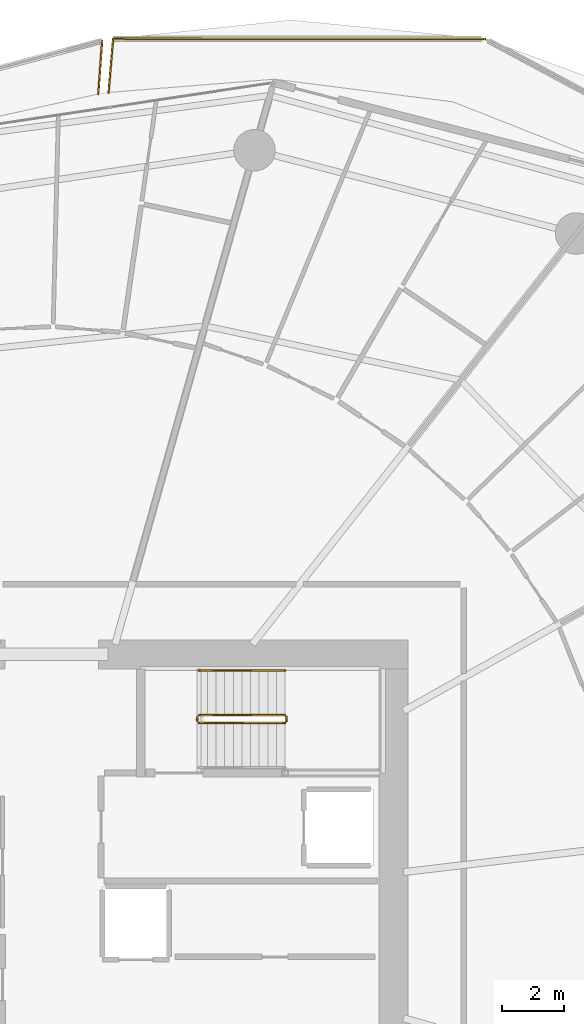
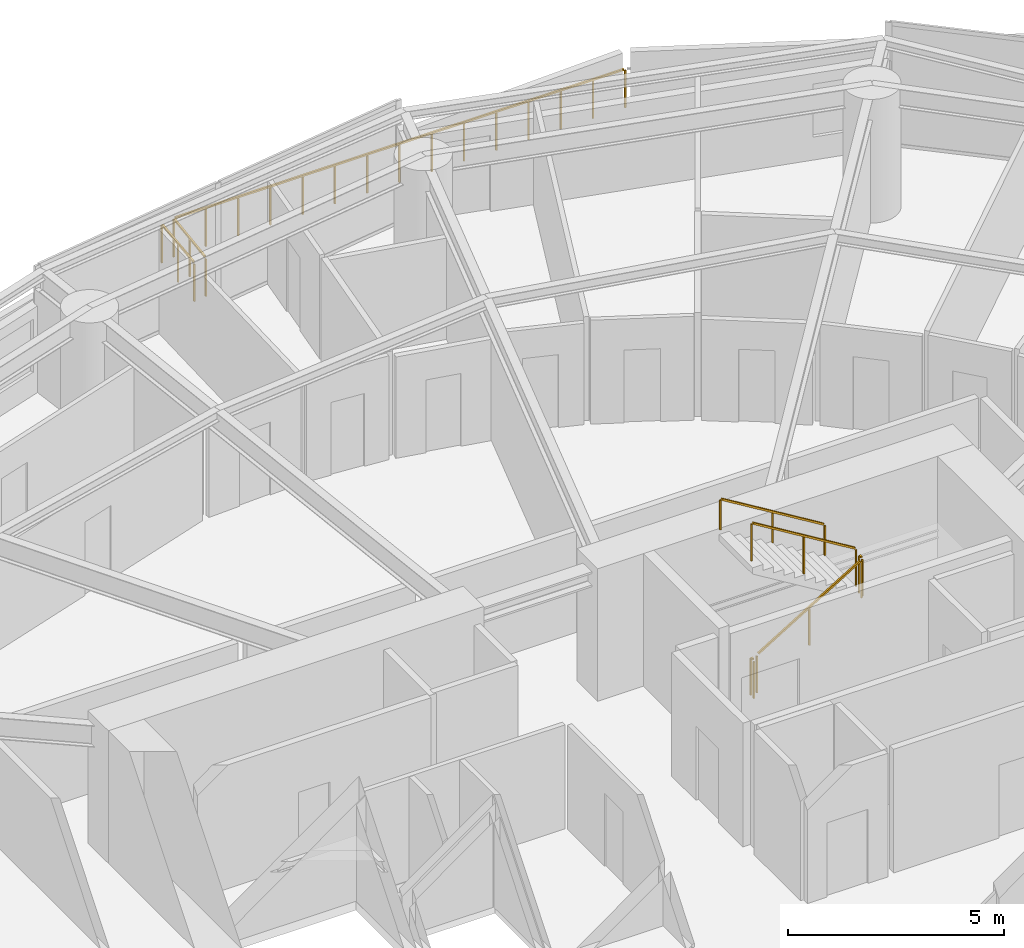
# One storey, part 30 of 31: 8 railings.
"""IFC4 building model written with IfcOpenShell, lengths in metres."""

import ifcopenshell
import ifcopenshell.guid

model = None  # the IFC model being written
_history = None  # IfcOwnerHistory: only IFC2X3 demands one
_inside = {}  # id of a spatial element -> (the spatial element, [elements in it])
_under = {}  # id of a project, library or spatial element -> (it, [spatial elements below it])
_declared = {}  # id of a project -> (the project, [libraries it declares])
_typed = {}  # id of a type object -> (the type object, [elements of that type])
_made_of = {}  # id of a material, layer set ... -> (it, [elements and type objects made of it])


def new_model(schema):
    """Start an empty IFC model of exactly this schema.

    Asked for "IFC4X3", IfcOpenShell would pick the latest addendum, in which some entities
    have other attributes; the version numbers below select the first issue.
    IFC2X3 requires an IfcOwnerHistory on every rooted entity: one is made here for all.
    """
    global model, _history
    if schema == "IFC4X3":
        model = ifcopenshell.file(schema_version=(4, 3, 0, 0))
    else:
        model = ifcopenshell.file(schema=schema)
    _inside.clear()
    _under.clear()
    _declared.clear()
    _typed.clear()
    _made_of.clear()
    _history = None
    if model.schema == "IFC2X3":
        org = make("IfcOrganization", Name="unknown")
        user = make(
            "IfcPersonAndOrganization",
            ThePerson=make("IfcPerson", FamilyName="unknown"),
            TheOrganization=org,
        )
        app = make(
            "IfcApplication",
            ApplicationDeveloper=org,
            Version="unknown",
            ApplicationFullName="unknown",
            ApplicationIdentifier="unknown",
        )
        _history = make(
            "IfcOwnerHistory",
            OwningUser=user,
            OwningApplication=app,
            ChangeAction="ADDED",
            CreationDate=0,
        )
    return model


def make(cls, **values):
    """One entity of the class cls with the attributes given. An attribute that is None is left unset."""
    return model.create_entity(
        cls, **{name: value for name, value in values.items() if value is not None}
    )


def rooted(cls, **values):
    """An entity with a GlobalId (a new one), such as an element, a storey or a relation."""
    return make(cls, GlobalId=ifcopenshell.guid.new(), OwnerHistory=_history, **values)


def si_unit(unit_type, name, prefix=None):
    """IfcSIUnit, for example si_unit("LENGTHUNIT", "METRE", prefix="MILLI")."""
    return make("IfcSIUnit", UnitType=unit_type, Prefix=prefix, Name=name)


def assignment(units):
    """IfcUnitAssignment: the units of a project."""
    return None if units is None else make("IfcUnitAssignment", Units=units)


def point(xyz):
    """IfcCartesianPoint."""
    return None if xyz is None else make("IfcCartesianPoint", Coordinates=xyz)


def direction(xyz):
    """IfcDirection."""
    return None if xyz is None else make("IfcDirection", DirectionRatios=xyz)


def frame(location, z_axis=None, x_axis=None):
    """IfcAxis2Placement3D, a coordinate frame: its origin and axes. An axis left out is left unset."""
    return make(
        "IfcAxis2Placement3D",
        Location=point(location),
        Axis=direction(z_axis),
        RefDirection=direction(x_axis),
    )


def frame_2d(location, x_axis=None):
    """IfcAxis2Placement2D, a coordinate frame in the plane: its origin and x axis."""
    return make(
        "IfcAxis2Placement2D", Location=point(location), RefDirection=direction(x_axis)
    )


def origin():
    """The frame at (0, 0, 0) with its axes left unset."""
    return frame((0.0, 0.0, 0.0))


def origin_2d():
    """The frame at (0, 0) in the plane with its x axis left unset."""
    return frame_2d((0.0, 0.0))


def place(relative_to, where):
    """IfcLocalPlacement: puts the frame where relative to a parent placement (None: the world)."""
    return make(
        "IfcLocalPlacement", PlacementRelTo=relative_to, RelativePlacement=where
    )


def context(
    kind, dimensions, precision=None, world=None, true_north=None, identifier=None
):
    """IfcGeometricRepresentationContext, for example the 3D "Model" context."""
    return make(
        "IfcGeometricRepresentationContext",
        ContextIdentifier=identifier,
        ContextType=kind,
        CoordinateSpaceDimension=dimensions,
        Precision=precision,
        WorldCoordinateSystem=world,
        TrueNorth=true_north,
    )


def subcontext(parent, identifier, kind, view, scale=None):
    """IfcGeometricRepresentationSubContext, for example "Body" below "Model"."""
    return make(
        "IfcGeometricRepresentationSubContext",
        ContextIdentifier=identifier,
        ContextType=kind,
        ParentContext=parent,
        TargetScale=scale,
        TargetView=view,
    )


def project(units=None, contexts=None):
    """IfcProject with its units and contexts."""
    return rooted(
        "IfcProject",
        Name="project",
        RepresentationContexts=contexts,
        UnitsInContext=assignment(units),
    )


def spatial(cls, under=None, at=None, **own):
    """A site, building, storey or space (cls), placed at a placement, below another one or the project."""
    s = rooted(cls, ObjectPlacement=at, **own)
    if under is not None:
        _under.setdefault(under.id(), (under, []))[1].append(s)
    return s


def profile(cls, at=None, kind="AREA", **sizes):
    """A parametric profile (cls). Its sizes go by their IFC names, for example OverallWidth=200.0."""
    return make(cls, ProfileType=kind, Position=at, **sizes)


def rectangle(**sizes):
    """IfcRectangleProfileDef."""
    return profile("IfcRectangleProfileDef", **sizes)


def extrude(swept, where, along, depth):
    """IfcExtrudedAreaSolid: the profile swept, set in the frame where, extruded along a direction by depth."""
    return make(
        "IfcExtrudedAreaSolid",
        SweptArea=swept,
        Position=where,
        ExtrudedDirection=direction(along),
        Depth=depth,
    )


def shape(context_of_items, identifier, shape_type, items):
    """IfcShapeRepresentation: the items that make up one representation, for example the "Body"."""
    return make(
        "IfcShapeRepresentation",
        ContextOfItems=context_of_items,
        RepresentationIdentifier=identifier,
        RepresentationType=shape_type,
        Items=items,
    )


def material(Name=None, Category=None):
    """IfcMaterial."""
    return make("IfcMaterial", Name=Name, Category=Category)


def made_of(thing, what):
    """Note that an element or type object is made of a material, layer set ...; save() writes the relation."""
    if what is not None:
        _made_of.setdefault(what.id(), (what, []))[1].append(thing)
    return thing


def type_object(cls, material=None, **own):
    """A type object (cls), such as IfcWallType, which elements share."""
    return made_of(rooted(cls, **own), material)


def element(
    cls,
    number,
    at=None,
    inside=None,
    cuts=None,
    type_object=None,
    material=None,
    context=None,
    identifier="Body",
    shape_type=None,
    held_by="IfcProductDefinitionShape",
    body=None,
    shapes=None,
    **own,
):
    """One element of the class cls, such as IfcWall. Its Tag is "e" and its number.

    at: its placement. inside: the storey or other place that contains it. cuts: it is an
    opening in that element (IfcRelVoidsElement). A single representation is given by context,
    identifier, shape_type and body (its items); several are given by shapes. held_by: the class
    of the entity that holds the representations. save() writes the other relations.
    """
    e = rooted(cls, Tag="e%d" % number, ObjectPlacement=at, **own)
    if body is not None:
        shapes = [shape(context, identifier, shape_type, body)]
    if shapes is not None:
        e.Representation = make(held_by, Representations=shapes)
    if inside is not None:
        _inside.setdefault(inside.id(), (inside, []))[1].append(e)
    if cuts is not None:
        rooted(
            "IfcRelVoidsElement", RelatingBuildingElement=cuts, RelatedOpeningElement=e
        )
    if type_object is not None:
        _typed.setdefault(type_object.id(), (type_object, []))[1].append(e)
    return made_of(e, material)


def aggregate(whole, parts):
    """IfcRelAggregates: a whole, such as a stair, and the parts it consists of."""
    return rooted("IfcRelAggregates", RelatingObject=whole, RelatedObjects=parts)


def save(model, path):
    """Write the relations noted so far, then the file.

    IfcRelAggregates (storeys below a building ...), IfcRelContainedInSpatialStructure (elements
    in a storey), IfcRelDefinesByType, IfcRelAssociatesMaterial and IfcRelDeclares: one each for
    every whole, place, type object, material and project.
    """
    for whole, parts in _under.values():
        aggregate(whole, parts)
    for where, things in _inside.values():
        rooted(
            "IfcRelContainedInSpatialStructure",
            RelatedElements=things,
            RelatingStructure=where,
        )
    for kind, things in _typed.values():
        rooted("IfcRelDefinesByType", RelatedObjects=things, RelatingType=kind)
    for what, things in _made_of.values():
        rooted("IfcRelAssociatesMaterial", RelatedObjects=things, RelatingMaterial=what)
    for by, libraries in _declared.values():
        rooted("IfcRelDeclares", RelatingContext=by, RelatedDefinitions=libraries)
    model.write(path)


model = new_model("IFC4")

# Units and contexts
model_context = context("Model", 3, precision=1e-05, world=origin(), true_north=direction((0.0, 1.0)))
body_context = subcontext(model_context, "Body", "Model", "MODEL_VIEW")
ifc_project = project(units=[si_unit("LENGTHUNIT", "METRE"), si_unit("AREAUNIT", "SQUARE_METRE"), si_unit("VOLUMEUNIT", "CUBIC_METRE"), si_unit("PLANEANGLEUNIT", "RADIAN"), si_unit("MASSUNIT", "GRAM", prefix="KILO")], contexts=[model_context])

# Site, building, storey
site_placement = place(None, origin())
site = spatial("IfcSite", under=ifc_project, at=site_placement, CompositionType="ELEMENT")
building_placement = place(site_placement, origin())
building = spatial("IfcBuilding", under=site, at=building_placement, Name="Kazma Halo Residences", CompositionType="ELEMENT")
storey_placement = place(building_placement, frame((0.0, 0.0, 45.14990234375)))
storey = spatial("IfcBuildingStorey", under=building, at=storey_placement, Name="L10", CompositionType="ELEMENT", Elevation=45.14990234375)

# Railings
ifc_material_1 = material(Name="Aluminium AW-6063 T6 Brushed Cap Rail", Category="aluminium")
railing_type_1 = type_object("IfcRailingType", Name="RLG-BAL-CAP-1120", PredefinedType="BALUSTRADE", material=ifc_material_1)
railing_1_placement = place(storey_placement, frame((62.50439453125, 70.466796875, 0.0)))
element("IfcRailing", 1, at=railing_1_placement, inside=storey, type_object=railing_type_1, Name="L10 NE wave balcony guard 3", PredefinedType="BALUSTRADE", context=body_context, shape_type="SweptSolid", body=[
    extrude(rectangle(XDim=0.050048828125, YDim=0.050048828125, at=origin_2d()), frame((-0.04248046875, 0.0, 1.09521484375), z_axis=(-0.999999862133, 0.000525103939, 0.0), x_axis=(-0.000525103939, -0.999999862133, 0.0)), (0.0, 0.0, 1.0), 12.00341796875),
    extrude(rectangle(XDim=0.0400390625, YDim=0.0400390625, at=origin_2d()), origin(), (0.0, 0.0, 1.0), 1.05810546875),
    extrude(rectangle(XDim=0.0400390625, YDim=0.0400390625, at=origin_2d()), frame((-0.863525390625, 0.00048828125, 0.0)), (0.0, 0.0, 1.0), 1.05810546875),
    extrude(rectangle(XDim=0.0400390625, YDim=0.0400390625, at=origin_2d()), frame((-1.726806640625, 0.0009765625, 0.0)), (0.0, 0.0, 1.0), 1.05810546875),
    extrude(rectangle(XDim=0.0400390625, YDim=0.0400390625, at=origin_2d()), frame((-2.59033203125, 0.00146484375, 0.0)), (0.0, 0.0, 1.0), 1.05810546875),
    extrude(rectangle(XDim=0.0400390625, YDim=0.0400390625, at=origin_2d()), frame((-3.453857421875, 0.001708984375, 0.0)), (0.0, 0.0, 1.0), 1.05810546875),
    extrude(rectangle(XDim=0.0400390625, YDim=0.0400390625, at=origin_2d()), frame((-4.3173828125, 0.002197265625, 0.0)), (0.0, 0.0, 1.0), 1.05810546875),
    extrude(rectangle(XDim=0.0400390625, YDim=0.0400390625, at=origin_2d()), frame((-5.1806640625, 0.002685546875, 0.0)), (0.0, 0.0, 1.0), 1.05810546875),
    extrude(rectangle(XDim=0.0400390625, YDim=0.0400390625, at=origin_2d()), frame((-6.044189453125, 0.003173828125, 0.0)), (0.0, 0.0, 1.0), 1.05810546875),
    extrude(rectangle(XDim=0.0400390625, YDim=0.0400390625, at=origin_2d()), frame((-6.90771484375, 0.003662109375, 0.0)), (0.0, 0.0, 1.0), 1.05810546875),
    extrude(rectangle(XDim=0.0400390625, YDim=0.0400390625, at=origin_2d()), frame((-7.77099609375, 0.004150390625, 0.0)), (0.0, 0.0, 1.0), 1.05810546875),
    extrude(rectangle(XDim=0.0400390625, YDim=0.0400390625, at=origin_2d()), frame((-8.634521484375, 0.004638671875, 0.0)), (0.0, 0.0, 1.0), 1.05810546875),
    extrude(rectangle(XDim=0.0400390625, YDim=0.0400390625, at=origin_2d()), frame((-9.498046875, 0.0048828125, 0.0)), (0.0, 0.0, 1.0), 1.05810546875),
    extrude(rectangle(XDim=0.0400390625, YDim=0.0400390625, at=origin_2d()), frame((-10.361572265625, 0.00537109375, 0.0)), (0.0, 0.0, 1.0), 1.05810546875),
    extrude(rectangle(XDim=0.0400390625, YDim=0.0400390625, at=origin_2d()), frame((-11.224853515625, 0.005859375, 0.0)), (0.0, 0.0, 1.0), 1.05810546875),
    extrude(rectangle(XDim=0.0400390625, YDim=0.0400390625, at=origin_2d()), frame((-12.08837890625, 0.00634765625, 0.0)), (0.0, 0.0, 1.0), 1.05810546875),
])
railing_2_placement = place(storey_placement, frame((50.416015625, 70.47314453125, 0.0)))
element("IfcRailing", 2, at=railing_2_placement, inside=storey, type_object=railing_type_1, Name="L10 NE wave balcony guard 4", PredefinedType="BALUSTRADE", context=body_context, shape_type="SweptSolid", body=[
    extrude(rectangle(XDim=0.050048828125, YDim=0.050048828125, at=origin_2d()), frame((-0.003662109375, -0.04248046875, 1.09521484375), z_axis=(-0.084558134687, -0.996418547528, 0.0), x_axis=(0.996418547528, -0.084558134687, 0.0)), (0.0, 0.0, 1.0), 1.66455078125),
    extrude(rectangle(XDim=0.0400390625, YDim=0.0400390625, at=origin_2d()), origin(), (0.0, 0.0, 1.0), 1.05810546875),
    extrude(rectangle(XDim=0.0400390625, YDim=0.0400390625, at=origin_2d()), frame((-0.073974609375, -0.87158203125, 0.0)), (0.0, 0.0, 1.0), 1.05810546875),
    extrude(rectangle(XDim=0.0400390625, YDim=0.0400390625, at=origin_2d()), frame((-0.14794921875, -1.743408203125, 0.0)), (0.0, 0.0, 1.0), 1.05810546875),
])
railing_3_placement = place(storey_placement, frame((49.935791015625, 68.679931640625, 0.0)))
element("IfcRailing", 3, at=railing_3_placement, inside=storey, type_object=railing_type_1, Name="L10 NNW wave balcony guard 1", PredefinedType="BALUSTRADE", context=body_context, shape_type="SweptSolid", body=[
    extrude(rectangle(XDim=0.050048828125, YDim=0.050048828125, at=origin_2d()), frame((0.003173828125, 0.04248046875, 1.09521484375), z_axis=(0.072349491269, 0.997379341631, 0.0), x_axis=(-0.997379341631, 0.072349491269, 0.0)), (0.0, 0.0, 1.0), 1.64599609375),
    extrude(rectangle(XDim=0.0400390625, YDim=0.0400390625, at=origin_2d()), origin(), (0.0, 0.0, 1.0), 1.05810546875),
    extrude(rectangle(XDim=0.0400390625, YDim=0.0400390625, at=origin_2d()), frame((0.0625, 0.86328125, 0.0)), (0.0, 0.0, 1.0), 1.05810546875),
    extrude(rectangle(XDim=0.0400390625, YDim=0.0400390625, at=origin_2d()), frame((0.125244140625, 1.7265625, 0.0)), (0.0, 0.0, 1.0), 1.05810546875),
])
ifc_material_2 = material(Name="Painted Steel S355", Category="steel")
railing_type_2 = type_object("IfcRailingType", Name="RLG-STAIR-GRD-1100", PredefinedType="GUARDRAIL", material=ifc_material_2)
railing_4_placement = place(storey_placement, frame((53.199951171875, 48.25, 0.170654296875)))
element("IfcRailing", 4, at=railing_4_placement, inside=storey, type_object=railing_type_2, Name="L10 ST-02 stair guard 1", PredefinedType="GUARDRAIL", context=body_context, shape_type="SweptSolid", body=[
    extrude(rectangle(XDim=0.050048828125, YDim=0.050048828125, at=origin_2d()), frame((0.036376953125, 0.0, 1.09716796875), z_axis=(0.854202870247, 0.0, 0.519939858505), x_axis=(0.0, 1.0, 0.0)), (0.0, 0.0, 1.0), 3.19287109375),
    extrude(rectangle(XDim=0.0400390625, YDim=0.0400390625, at=origin_2d()), origin(), (0.0, 0.0, 1.0), 1.0380859375),
    extrude(rectangle(XDim=0.0400390625, YDim=0.0400390625, at=origin_2d()), frame((1.39990234375, 0.0, 0.85205078125)), (0.0, 0.0, 1.0), 1.0380859375),
    extrude(rectangle(XDim=0.0400390625, YDim=0.0400390625, at=origin_2d()), frame((2.800048828125, 0.0, 1.704345703125)), (0.0, 0.0, 1.0), 1.0380859375),
])
railing_5_placement = place(storey_placement, frame((56.050048828125, 48.300048828125, 1.875)))
element("IfcRailing", 5, at=railing_5_placement, inside=storey, type_object=railing_type_2, Name="L10 ST-02 stair guard 2", PredefinedType="GUARDRAIL", context=body_context, shape_type="SweptSolid", body=[
    extrude(rectangle(XDim=0.050048828125, YDim=0.050048828125, at=origin_2d()), frame((0.0, 0.04248046875, 1.0751953125), z_axis=(0.0, 1.0, 0.0), x_axis=(-1.0, 0.0, 0.0)), (0.0, 0.0, 1.0), 0.06494140625),
    extrude(rectangle(XDim=0.0400390625, YDim=0.0400390625, at=origin_2d()), origin(), (0.0, 0.0, 1.0), 1.0380859375),
    extrude(rectangle(XDim=0.0400390625, YDim=0.0400390625, at=origin_2d()), frame((0.0, 0.14990234375, 0.0)), (0.0, 0.0, 1.0), 1.0380859375),
])
railing_6_placement = place(storey_placement, frame((56.0, 48.5, 2.045654296875)))
element("IfcRailing", 6, at=railing_6_placement, inside=storey, type_object=railing_type_2, Name="L10 ST-02 stair guard 3", PredefinedType="GUARDRAIL", context=body_context, shape_type="SweptSolid", body=[
    extrude(rectangle(XDim=0.050048828125, YDim=0.050048828125, at=origin_2d()), frame((-0.036376953125, 0.0, 1.09716796875), z_axis=(-0.854202870247, 0.0, 0.519939858505), x_axis=(0.0, -1.0, 0.0)), (0.0, 0.0, 1.0), 3.19287109375),
    extrude(rectangle(XDim=0.0400390625, YDim=0.0400390625, at=origin_2d()), origin(), (0.0, 0.0, 1.0), 1.0380859375),
    extrude(rectangle(XDim=0.0400390625, YDim=0.0400390625, at=origin_2d()), frame((-1.39990234375, 0.0, 0.85205078125)), (0.0, 0.0, 1.0), 1.0380859375),
    extrude(rectangle(XDim=0.0400390625, YDim=0.0400390625, at=origin_2d()), frame((-2.800048828125, 0.0, 1.704345703125)), (0.0, 0.0, 1.0), 1.0380859375),
])
railing_7_placement = place(storey_placement, frame((53.14990234375, 48.300048828125, 0.0)))
element("IfcRailing", 7, at=railing_7_placement, inside=storey, type_object=railing_type_2, Name="L10 ST-02 stair guard 4", PredefinedType="GUARDRAIL", context=body_context, shape_type="SweptSolid", body=[
    extrude(rectangle(XDim=0.050048828125, YDim=0.050048828125, at=origin_2d()), frame((0.0, 0.04248046875, 1.0751953125), z_axis=(0.0, 1.0, 0.0), x_axis=(-1.0, 0.0, 0.0)), (0.0, 0.0, 1.0), 0.06494140625),
    extrude(rectangle(XDim=0.0400390625, YDim=0.0400390625, at=origin_2d()), origin(), (0.0, 0.0, 1.0), 1.0380859375),
    extrude(rectangle(XDim=0.0400390625, YDim=0.0400390625, at=origin_2d()), frame((0.0, 0.14990234375, 0.0)), (0.0, 0.0, 1.0), 1.0380859375),
])
ifc_material_3 = material(Name="Brushed Stainless Steel", Category="steel")
railing_type_3 = type_object("IfcRailingType", Name="RLG-STAIR-HND-900", PredefinedType="HANDRAIL", material=ifc_material_3)
railing_8_placement = place(storey_placement, frame((56.0, 49.949951171875, 2.045654296875)))
element("IfcRailing", 8, at=railing_8_placement, inside=storey, type_object=railing_type_3, Name="L10 ST-02 stair handrail 2", PredefinedType="HANDRAIL", context=body_context, shape_type="SweptSolid", body=[
    extrude(rectangle(XDim=0.050048828125, YDim=0.050048828125, at=origin_2d()), frame((-0.036376953125, 0.0, 0.89697265625), z_axis=(-0.854202870247, 0.0, 0.519939858505), x_axis=(0.0, -1.0, 0.0)), (0.0, 0.0, 1.0), 3.19287109375),
    extrude(rectangle(XDim=0.0400390625, YDim=0.0400390625, at=origin_2d()), origin(), (0.0, 0.0, 1.0), 0.837890625),
    extrude(rectangle(XDim=0.0400390625, YDim=0.0400390625, at=origin_2d()), frame((-1.39990234375, 0.0, 0.85205078125)), (0.0, 0.0, 1.0), 0.837890625),
    extrude(rectangle(XDim=0.0400390625, YDim=0.0400390625, at=origin_2d()), frame((-2.800048828125, 0.0, 1.704345703125)), (0.0, 0.0, 1.0), 0.837890625),
])

save(model, "model.ifc")
